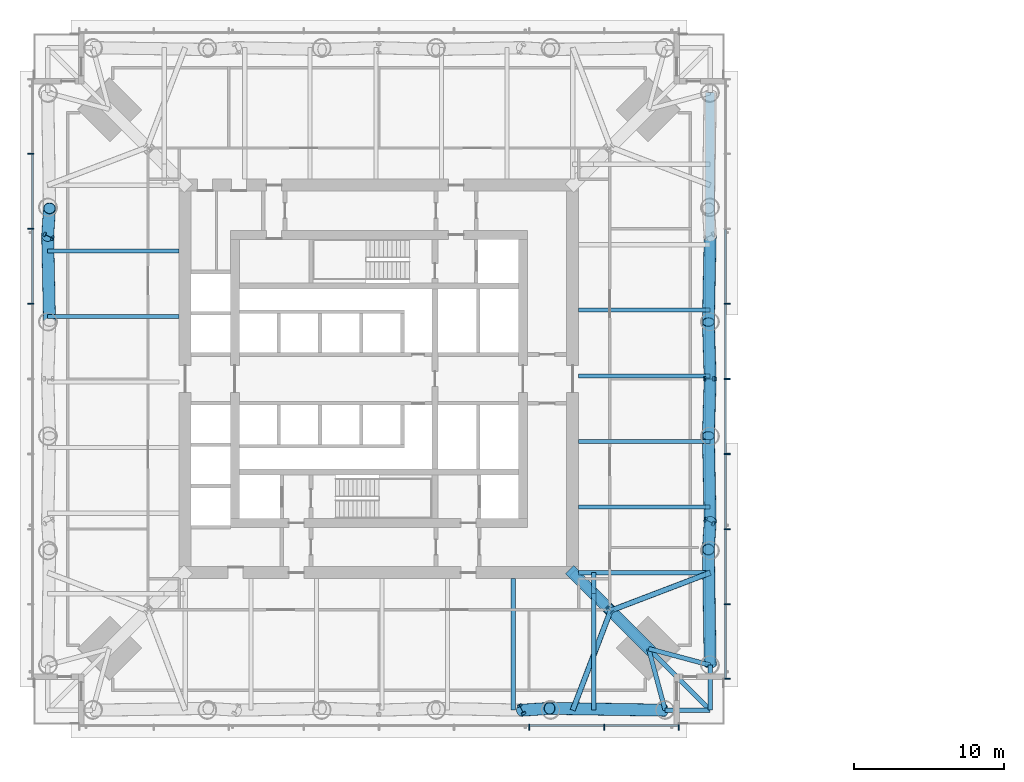
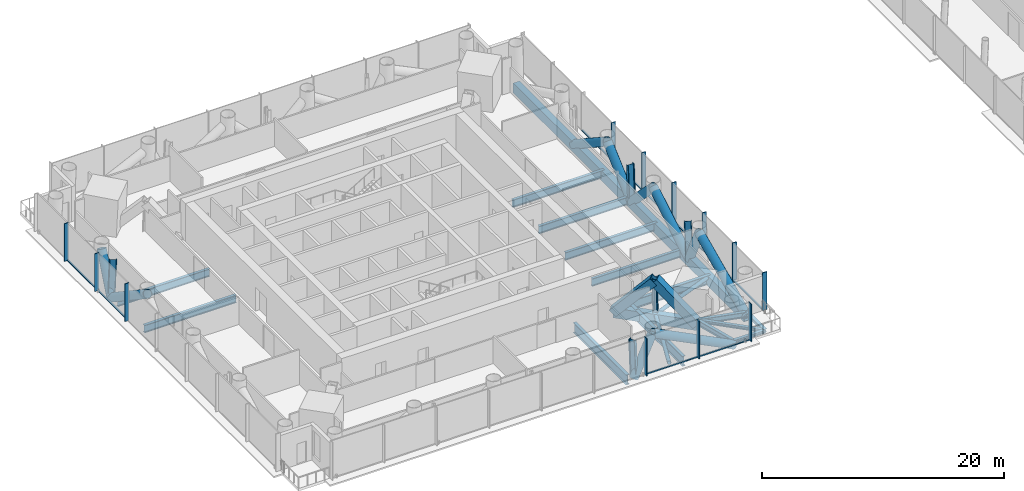
# One storey, part 3 of 28: 43 members, 15 beams, 3 elements without a shape of their own.
"""IFC4 building model written with IfcOpenShell, lengths in metres."""

from ifc_helpers import new_model, si_unit, direction, frame, origin, origin_2d, place, context, subcontext, project, spatial, rectangle, hollow_rectangle, hollow_circle, i_section, extrude, material, material_profile, profile_set, type_object, element, aggregate, save


model = new_model("IFC4")

# Units and contexts
model_context = context("Model", 3, precision=1e-05, world=origin(), true_north=direction((0.0, 1.0)))
body_context = subcontext(model_context, "Body", "Model", "MODEL_VIEW")
ifc_project = project(units=[si_unit("LENGTHUNIT", "METRE"), si_unit("AREAUNIT", "SQUARE_METRE"), si_unit("VOLUMEUNIT", "CUBIC_METRE"), si_unit("PLANEANGLEUNIT", "RADIAN"), si_unit("MASSUNIT", "GRAM", prefix="KILO")], contexts=[model_context])

# Site, building, storey
site_placement = place(None, origin())
site = spatial("IfcSite", under=ifc_project, at=site_placement, CompositionType="ELEMENT")
building_placement = place(site_placement, origin())
building = spatial("IfcBuilding", under=site, at=building_placement, Name="Ostroluk Exchange", CompositionType="ELEMENT")
storey_placement = place(building_placement, frame((0.0, 0.0, 81.800048828125)))
storey = spatial("IfcBuildingStorey", under=building, at=storey_placement, Name="L20", CompositionType="ELEMENT", Elevation=81.800048828125)

# Beams
ifc_material_1 = material(Name="Steel S355", Category="steel")
ifc_material_profile_1 = material_profile(ifc_material_1, i_section(OverallWidth=0.300048828125, OverallDepth=0.300048828125, WebThickness=0.010986328125, FlangeThickness=0.01904296875, FilletRadius=0.027099609375, at=origin_2d()), Name="HEB 300")
ifc_profile_set_1 = profile_set([ifc_material_profile_1], Name="Steel S355")
beam_type_1 = type_object("IfcBeamType", Name="Balcony beam HEB 300", PredefinedType="BEAM", material=ifc_profile_set_1)
for number, where, z_axis, x_axis, name in (
    (1, (64.05712890625, 23.94287109375, -0.429931640625), (1.0, 0.0, 0.0), (0.0, 1.0, 0.0), "T1 south balcony beam a"),
    (2, (67.05712890625, 26.94287109375, -0.429931640625), (0.0, -1.0, 0.0), (1.0, 0.0, 0.0), "T1 south balcony beam b"),
):
    element("IfcBeam", number, at=place(storey_placement, frame(where, z_axis=z_axis, x_axis=x_axis)), inside=storey, type_object=beam_type_1, Name=name, PredefinedType="BEAM", context=body_context, shape_type="SweptSolid", body=[
        extrude(i_section(OverallWidth=0.300048828125, OverallDepth=0.300048828125, WebThickness=0.010986328125, FlangeThickness=0.01904296875, FilletRadius=0.027099609375, at=origin_2d()), origin(), (0.0, 0.0, 1.0), 3.0),
    ])
beam_1_placement = place(storey_placement, frame((62.95703125, 28.04296875, -0.429931640625), z_axis=(0.707106781187, -0.707106781187, 0.0), x_axis=(0.707106781187, 0.707106781187, 0.0)))
element("IfcBeam", 3, at=beam_1_placement, inside=storey, type_object=beam_type_1, Name="T1 south balcony beam c", PredefinedType="BEAM", context=body_context, shape_type="SweptSolid", body=[
    extrude(i_section(OverallWidth=0.300048828125, OverallDepth=0.300048828125, WebThickness=0.010986328125, FlangeThickness=0.01904296875, FilletRadius=0.027099609375, at=origin_2d()), origin(), (0.0, 0.0, 1.0), 5.79833984375),
])

# Members
ifc_material_2 = material(Name="Steel S460", Category="steel")
ifc_material_profile_2 = material_profile(ifc_material_2, hollow_rectangle(XDim=0.60009765625, YDim=1.0, WallThickness=0.06005859375, at=origin_2d()), Name="BOX 600x1000x60")
ifc_profile_set_2 = profile_set([ifc_material_profile_2], Name="Steel S460")
member_type_1 = type_object("IfcMemberType", Name="Belt truss chord BOX 600x1000x60", PredefinedType="CHORD", material=ifc_profile_set_2)
member_1_placement = place(storey_placement, frame((67.05712890625, 26.94287109375, -0.780029296875), z_axis=(0.0, 1.0, 0.0), x_axis=(-1.0, 0.0, 0.0)))
element("IfcMember", 4, at=member_1_placement, inside=storey, type_object=member_type_1, Name="Belt truss 1 east chord 1", PredefinedType="CHORD", context=body_context, shape_type="SweptSolid", body=[
    extrude(hollow_rectangle(XDim=0.60009765625, YDim=1.0, WallThickness=0.06005859375, at=origin_2d()), origin(), (0.0, 0.0, 1.0), 38.1142578125),
])
ifc_material_3 = material(Name="Steel S460", Category="steel")
ifc_material_profile_3 = material_profile(ifc_material_3, hollow_circle(Radius=0.406494140625, WallThickness=0.030029296875, at=origin_2d()), Name="CHS 813x30")
ifc_profile_set_3 = profile_set([ifc_material_profile_3], Name="Steel S460")
member_type_2 = type_object("IfcMemberType", Name="Belt truss diagonal CHS 813x30", PredefinedType="BRACE", material=ifc_profile_set_3)
member_2_placement = place(storey_placement, frame((67.05712890625, 26.94287109375, -0.780029296875), z_axis=(-0.014135797811, 0.896556576647, 0.442703607497), x_axis=(-0.999875727713, -0.015764806696, 0.0)))
element("IfcMember", 5, at=member_2_placement, inside=storey, type_object=member_type_2, Name="Belt truss 1 east diagonal 1.1", PredefinedType="BRACE", context=body_context, shape_type="SweptSolid", body=[
    extrude(hollow_circle(Radius=0.406494140625, WallThickness=0.030029296875, at=origin_2d()), origin(), (0.0, 0.0, 1.0), 8.583740234375),
])
member_3_placement = place(storey_placement, frame((67.05712890625, 36.471435546875, -0.780029296875), z_axis=(-0.028748440767, -0.434234496648, 0.900341007104), x_axis=(0.997815635309, -0.066060259857, 0.0)))
element("IfcMember", 6, at=member_3_placement, inside=storey, type_object=member_type_2, Name="Belt truss 1 east diagonal 1.2", PredefinedType="BRACE", context=body_context, shape_type="SweptSolid", body=[
    extrude(hollow_circle(Radius=0.406494140625, WallThickness=0.030029296875, at=origin_2d()), origin(), (0.0, 0.0, 1.0), 4.220703125),
])
member_4_placement = place(storey_placement, frame((67.05712890625, 36.471435546875, -0.780029296875), z_axis=(-0.017620507461, 0.833765541163, 0.551837421789), x_axis=(-0.999776759238, -0.021128930108, 0.0)))
element("IfcMember", 7, at=member_4_placement, inside=storey, type_object=member_type_2, Name="Belt truss 1 east diagonal 1.3", PredefinedType="BRACE", context=body_context, shape_type="SweptSolid", body=[
    extrude(hollow_circle(Radius=0.406494140625, WallThickness=0.030029296875, at=origin_2d()), origin(), (0.0, 0.0, 1.0), 6.88623046875),
])
for number, where, z_axis, x_axis, name in (
    (8, (67.05712890625, 46.0, -0.780029296875), (-0.022611044268, -0.705719353494, 0.708130591615), (0.999487123287, -0.03202327877, 0.0), "Belt truss 1 east diagonal 1.4"),
    (9, (67.05712890625, 46.0, -0.780029296875), (-0.022611044268, 0.705719353494, 0.708130591615), (-0.999487123287, -0.03202327877, 0.0), "Belt truss 1 east diagonal 1.5"),
):
    element("IfcMember", number, at=place(storey_placement, frame(where, z_axis=z_axis, x_axis=x_axis)), inside=storey, type_object=member_type_2, Name=name, PredefinedType="BRACE", context=body_context, shape_type="SweptSolid", body=[
        extrude(hollow_circle(Radius=0.406494140625, WallThickness=0.030029296875, at=origin_2d()), origin(), (0.0, 0.0, 1.0), 5.3662109375),
    ])
member_5_placement = place(storey_placement, frame((67.05712890625, 55.528564453125, -0.780029296875), z_axis=(-0.017620507461, -0.833765541163, 0.551837421789), x_axis=(0.999776759238, -0.021128930108, 0.0)))
element("IfcMember", 10, at=member_5_placement, inside=storey, type_object=member_type_2, Name="Belt truss 1 east diagonal 1.6", PredefinedType="BRACE", context=body_context, shape_type="SweptSolid", body=[
    extrude(hollow_circle(Radius=0.406494140625, WallThickness=0.030029296875, at=origin_2d()), origin(), (0.0, 0.0, 1.0), 6.88623046875),
])
member_6_placement = place(storey_placement, frame((22.94287109375, 55.528564453125, -0.780029296875), z_axis=(0.028748440767, 0.434234496648, 0.900341007104), x_axis=(-0.997815635309, 0.066060259857, 0.0)))
element("IfcMember", 11, at=member_6_placement, inside=storey, type_object=member_type_2, Name="Belt truss 1 west diagonal 1.2", PredefinedType="BRACE", context=body_context, shape_type="SweptSolid", body=[
    extrude(hollow_circle(Radius=0.406494140625, WallThickness=0.030029296875, at=origin_2d()), origin(), (0.0, 0.0, 1.0), 4.220703125),
])
member_7_placement = place(storey_placement, frame((22.94287109375, 55.528564453125, -0.780029296875), z_axis=(0.017620507461, -0.833765541163, 0.551837421789), x_axis=(0.999776759238, 0.021128930108, 0.0)))
element("IfcMember", 12, at=member_7_placement, inside=storey, type_object=member_type_2, Name="Belt truss 1 west diagonal 1.3", PredefinedType="BRACE", context=body_context, shape_type="SweptSolid", body=[
    extrude(hollow_circle(Radius=0.406494140625, WallThickness=0.030029296875, at=origin_2d()), origin(), (0.0, 0.0, 1.0), 6.88623046875),
])
member_8_placement = place(storey_placement, frame((54.528564453125, 23.94287109375, -0.780029296875), z_axis=(0.434234496648, 0.028748440767, 0.900341007104), x_axis=(-0.066060259857, 0.997815635309, 0.0)))
element("IfcMember", 13, at=member_8_placement, inside=storey, type_object=member_type_2, Name="Belt truss 1 south diagonal 1.7", PredefinedType="BRACE", context=body_context, shape_type="SweptSolid", body=[
    extrude(hollow_circle(Radius=0.406494140625, WallThickness=0.030029296875, at=origin_2d()), origin(), (0.0, 0.0, 1.0), 4.220703125),
])
member_9_placement = place(storey_placement, frame((64.05712890625, 23.94287109375, -0.780029296875), z_axis=(-0.896556576647, 0.014135797811, 0.442703607497), x_axis=(-0.015764806696, -0.999875727713, 0.0)))
element("IfcMember", 14, at=member_9_placement, inside=storey, type_object=member_type_2, Name="Belt truss 1 south diagonal 1.8", PredefinedType="BRACE", context=body_context, shape_type="SweptSolid", body=[
    extrude(hollow_circle(Radius=0.406494140625, WallThickness=0.030029296875, at=origin_2d()), origin(), (0.0, 0.0, 1.0), 8.583740234375),
])
ifc_material_4 = material(Name="Steel S460", Category="steel")
ifc_material_profile_4 = material_profile(ifc_material_4, i_section(OverallWidth=0.304931640625, OverallDepth=0.6201171875, WebThickness=0.02099609375, FlangeThickness=0.0400390625, FilletRadius=0.027099609375, at=origin_2d()), Name="HEM 600")
ifc_profile_set_4 = profile_set([ifc_material_profile_4], Name="Steel S460")
member_type_3 = type_object("IfcMemberType", Name="Belt truss post HEM 600", PredefinedType="POST", material=ifc_profile_set_4)
member_10_placement = place(storey_placement, frame((67.05712890625, 36.471435546875, -0.780029296875), z_axis=(-0.031910269556, 0.015987237665, 0.999362868496), x_axis=(-0.447933021895, -0.894067115991, 0.0)))
element("IfcMember", 15, at=member_10_placement, inside=storey, type_object=member_type_3, Name="Belt truss 1 east post 1.2", PredefinedType="POST", context=body_context, shape_type="SweptSolid", body=[
    extrude(i_section(OverallWidth=0.304931640625, OverallDepth=0.6201171875, WebThickness=0.02099609375, FlangeThickness=0.0400390625, FilletRadius=0.027099609375, at=origin_2d()), origin(), (0.0, 0.0, 1.0), 3.802490234375),
])
member_11_placement = place(storey_placement, frame((67.05712890625, 46.0, -0.780029296875), z_axis=(-0.031914348339, 0.0, 0.999490607445), x_axis=(0.0, -1.0, 0.0)))
element("IfcMember", 16, at=member_11_placement, inside=storey, type_object=member_type_3, Name="Belt truss 1 east post 1.4", PredefinedType="POST", context=body_context, shape_type="SweptSolid", body=[
    extrude(i_section(OverallWidth=0.304931640625, OverallDepth=0.6201171875, WebThickness=0.02099609375, FlangeThickness=0.0400390625, FilletRadius=0.027099609375, at=origin_2d()), origin(), (0.0, 0.0, 1.0), 3.802001953125),
])
for number, where, z_axis, x_axis, name in (
    (17, (22.94287109375, 55.528564453125, -0.780029296875), (0.031910269556, -0.015987237665, 0.999362868496), (0.447933021895, 0.894067115991, 0.0), "Belt truss 1 west post 1.2"),
    (18, (54.528564453125, 23.94287109375, -0.780029296875), (-0.015987237665, 0.031910269556, 0.999362868496), (-0.894067115991, -0.447933021895, 0.0), "Belt truss 1 south post 1.6"),
):
    element("IfcMember", number, at=place(storey_placement, frame(where, z_axis=z_axis, x_axis=x_axis)), inside=storey, type_object=member_type_3, Name=name, PredefinedType="POST", context=body_context, shape_type="SweptSolid", body=[
        extrude(i_section(OverallWidth=0.304931640625, OverallDepth=0.6201171875, WebThickness=0.02099609375, FlangeThickness=0.0400390625, FilletRadius=0.027099609375, at=origin_2d()), origin(), (0.0, 0.0, 1.0), 3.802490234375),
    ])

# Beams
ifc_material_5 = material(Name="Steel S355", Category="steel")
ifc_material_profile_5 = material_profile(ifc_material_5, i_section(OverallWidth=0.300048828125, OverallDepth=0.550048828125, WebThickness=0.014892578125, FlangeThickness=0.029052734375, FilletRadius=0.027099609375, at=origin_2d()), Name="HEB 550")
ifc_profile_set_5 = profile_set([ifc_material_profile_5], Name="Steel S355")
beam_type_2 = type_object("IfcBeamType", Name="Corner edge beam HEB 550", PredefinedType="SPANDREL", material=ifc_profile_set_5)
for number, where, z_axis, x_axis, name in (
    (19, (62.95703125, 28.04296875, -0.554931640625), (0.259144268261, -0.965838624319, 0.0), (0.965838624319, 0.259144268261, 0.0), "T1 south corner edge beam a"),
    (20, (62.95703125, 28.04296875, -0.554931640625), (0.965838624319, -0.259144268261, 0.0), (0.259144268261, 0.965838624319, 0.0), "T1 south corner edge beam b"),
):
    element("IfcBeam", number, at=place(storey_placement, frame(where, z_axis=z_axis, x_axis=x_axis)), inside=storey, type_object=beam_type_2, Name=name, PredefinedType="SPANDREL", context=body_context, shape_type="SweptSolid", body=[
        extrude(i_section(OverallWidth=0.300048828125, OverallDepth=0.550048828125, WebThickness=0.014892578125, FlangeThickness=0.029052734375, FilletRadius=0.027099609375, at=origin_2d()), origin(), (0.0, 0.0, 1.0), 4.2451171875),
    ])
ifc_material_6 = material(Name="Steel S355", Category="steel")
ifc_material_profile_6 = material_profile(ifc_material_6, i_section(OverallWidth=0.302001953125, OverallDepth=1.008056640625, WebThickness=0.02099609375, FlangeThickness=0.0400390625, FilletRadius=0.030029296875, at=origin_2d()), Name="HEM 1000")
ifc_profile_set_6 = profile_set([ifc_material_profile_6], Name="Steel S355")
beam_type_3 = type_object("IfcBeamType", Name="Floor beam HEM 1000", PredefinedType="BEAM", material=ifc_profile_set_6)
beam_2_placement = place(storey_placement, frame((53.9482421875, 32.699951171875, -0.783935546875), z_axis=(0.0, -1.0, 0.0), x_axis=(1.0, 0.0, 0.0)))
element("IfcBeam", 21, at=beam_2_placement, inside=storey, type_object=beam_type_3, Name="T1 south floor beam 5", PredefinedType="BEAM", context=body_context, shape_type="SweptSolid", body=[
    extrude(i_section(OverallWidth=0.302001953125, OverallDepth=1.008056640625, WebThickness=0.02099609375, FlangeThickness=0.0400390625, FilletRadius=0.030029296875, at=origin_2d()), origin(), (0.0, 0.0, 1.0), 8.757080078125),
])
beam_3_placement = place(storey_placement, frame((59.300048828125, 33.10009765625, -0.783935546875), z_axis=(0.0, -1.0, 0.0), x_axis=(1.0, 0.0, 0.0)))
element("IfcBeam", 22, at=beam_3_placement, inside=storey, type_object=beam_type_3, Name="T1 south floor beam 6", PredefinedType="BEAM", context=body_context, shape_type="SweptSolid", body=[
    extrude(i_section(OverallWidth=0.302001953125, OverallDepth=1.008056640625, WebThickness=0.02099609375, FlangeThickness=0.0400390625, FilletRadius=0.030029296875, at=origin_2d()), origin(), (0.0, 0.0, 1.0), 1.400146484375),
])
beam_4_placement = place(storey_placement, frame((59.300048828125, 31.699951171875, -0.783935546875), z_axis=(0.0, -1.0, 0.0), x_axis=(1.0, 0.0, 0.0)))
element("IfcBeam", 23, at=beam_4_placement, inside=storey, type_object=beam_type_3, Name="T1 south floor beam 6", PredefinedType="BEAM", context=body_context, shape_type="SweptSolid", body=[
    extrude(i_section(OverallWidth=0.302001953125, OverallDepth=1.008056640625, WebThickness=0.02099609375, FlangeThickness=0.0400390625, FilletRadius=0.030029296875, at=origin_2d()), origin(), (0.0, 0.0, 1.0), 7.757080078125),
])
ifc_material_7 = material(Name="Steel S355", Category="steel")
ifc_material_profile_7 = material_profile(ifc_material_7, i_section(OverallWidth=0.26806640625, OverallDepth=0.77001953125, WebThickness=0.015625, FlangeThickness=0.025390625, FilletRadius=0.01708984375, at=origin_2d()), Name="IPE 750x196")
ifc_profile_set_7 = profile_set([ifc_material_profile_7], Name="Steel S355")
beam_type_4 = type_object("IfcBeamType", Name="Floor beam IPE 750x196", PredefinedType="BEAM", material=ifc_profile_set_7)
for number, where, z_axis, x_axis, name in (
    (24, (58.300048828125, 37.4697265625, -0.6650390625), (1.0, 0.0, 0.0), (0.0, 1.0, 0.0), "T1 east floor beam 1"),
    (25, (58.300048828125, 41.83935546875, -0.6650390625), (1.0, 0.0, 0.0), (0.0, 1.0, 0.0), "T1 east floor beam 2"),
    (26, (58.300048828125, 46.208984375, -0.6650390625), (1.0, 0.0, 0.0), (0.0, 1.0, 0.0), "T1 east floor beam 3"),
    (27, (58.300048828125, 50.57861328125, -0.6650390625), (1.0, 0.0, 0.0), (0.0, 1.0, 0.0), "T1 east floor beam 4"),
    (28, (31.699951171875, 54.5302734375, -0.6650390625), (-1.0, 0.0, 0.0), (0.0, -1.0, 0.0), "T1 west floor beam 1"),
    (29, (31.699951171875, 50.16064453125, -0.6650390625), (-1.0, 0.0, 0.0), (0.0, -1.0, 0.0), "T1 west floor beam 2"),
):
    element("IfcBeam", number, at=place(storey_placement, frame(where, z_axis=z_axis, x_axis=x_axis)), inside=storey, type_object=beam_type_4, Name=name, PredefinedType="BEAM", context=body_context, shape_type="SweptSolid", body=[
        extrude(i_section(OverallWidth=0.26806640625, OverallDepth=0.77001953125, WebThickness=0.015625, FlangeThickness=0.025390625, FilletRadius=0.01708984375, at=origin_2d()), origin(), (0.0, 0.0, 1.0), 8.757080078125),
    ])
ifc_material_8 = material(Name="Steel S355", Category="steel")
ifc_material_profile_8 = material_profile(ifc_material_8, i_section(OverallWidth=0.300048828125, OverallDepth=0.89990234375, WebThickness=0.0185546875, FlangeThickness=0.034912109375, FilletRadius=0.030029296875, at=origin_2d()), Name="HEB 900")
ifc_profile_set_8 = profile_set([ifc_material_profile_8], Name="Steel S355")
beam_type_5 = type_object("IfcBeamType", Name="Girder HEB 900", PredefinedType="BEAM", material=ifc_profile_set_8)
beam_5_placement = place(storey_placement, frame((58.300048828125, 33.10009765625, -0.72998046875), z_axis=(1.0, 0.0, 0.0), x_axis=(0.0, 1.0, 0.0)))
element("IfcBeam", 30, at=beam_5_placement, inside=storey, type_object=beam_type_5, Name="T1 south girder", PredefinedType="BEAM", context=body_context, shape_type="SweptSolid", body=[
    extrude(i_section(OverallWidth=0.300048828125, OverallDepth=0.89990234375, WebThickness=0.0185546875, FlangeThickness=0.034912109375, FilletRadius=0.030029296875, at=origin_2d()), origin(), (0.0, 0.0, 1.0), 8.757080078125),
])

# Members
ifc_material_9 = material(Name="Steel S460", Category="steel")
ifc_material_profile_9 = material_profile(ifc_material_9, hollow_rectangle(XDim=0.60009765625, YDim=1.0, WallThickness=0.06005859375, at=origin_2d()), Name="BOX 600x1000x60")
ifc_profile_set_9 = profile_set([ifc_material_profile_9], Name="Steel S460")
member_type_4 = type_object("IfcMemberType", Name="Outrigger chord BOX 600x1000x60", PredefinedType="CHORD", material=ifc_profile_set_9)
member_12_placement = place(storey_placement, frame((57.89990234375, 33.10009765625, -0.780029296875), z_axis=(0.707106781187, -0.707106781187, 0.0), x_axis=(0.707106781187, 0.707106781187, 0.0)))
element("IfcMember", 31, at=member_12_placement, inside=storey, type_object=member_type_4, Name="Outrigger 1 SE chord 1", PredefinedType="CHORD", context=body_context, shape_type="SweptSolid", body=[
    extrude(hollow_rectangle(XDim=0.60009765625, YDim=1.0, WallThickness=0.06005859375, at=origin_2d()), origin(), (0.0, 0.0, 1.0), 7.15185546875),
])
ifc_material_10 = material(Name="Steel S460", Category="steel")
ifc_material_profile_10 = material_profile(ifc_material_10, hollow_rectangle(XDim=0.800048828125, YDim=0.800048828125, WallThickness=0.050048828125, at=origin_2d()), Name="BOX 800x800x50")
ifc_profile_set_10 = profile_set([ifc_material_profile_10], Name="Steel S460")
member_type_5 = type_object("IfcMemberType", Name="Outrigger diagonal BOX 800x800x50", PredefinedType="BRACE", material=ifc_profile_set_10)
member_13_placement = place(storey_placement, frame((57.89990234375, 33.10009765625, -0.780029296875), z_axis=(0.478324994518, -0.478324994518, 0.736485165661), x_axis=(0.707106781187, 0.707106781187, 0.0)))
element("IfcMember", 32, at=member_13_placement, inside=storey, type_object=member_type_5, Name="Outrigger 1 SE diagonal 1a", PredefinedType="BRACE", context=body_context, shape_type="SweptSolid", body=[
    extrude(hollow_rectangle(XDim=0.800048828125, YDim=0.800048828125, WallThickness=0.050048828125, at=origin_2d()), origin(), (0.0, 0.0, 1.0), 5.15966796875),
])
member_14_placement = place(storey_placement, frame((60.367919921875, 30.632080078125, 3.02001953125), z_axis=(0.490635155157, -0.490635155157, -0.720107137201), x_axis=(0.707106781187, 0.707106781187, 0.0)))
element("IfcMember", 33, at=member_14_placement, inside=storey, type_object=member_type_5, Name="Outrigger 1 SE diagonal 1b", PredefinedType="BRACE", context=body_context, shape_type="SweptSolid", body=[
    extrude(hollow_rectangle(XDim=0.800048828125, YDim=0.800048828125, WallThickness=0.050048828125, at=origin_2d()), origin(), (0.0, 0.0, 1.0), 5.277099609375),
])
ifc_material_11 = material(Name="Steel S460", Category="steel")
ifc_material_profile_11 = material_profile(ifc_material_11, i_section(OverallWidth=0.306884765625, OverallDepth=0.431884765625, WebThickness=0.02099609375, FlangeThickness=0.0400390625, FilletRadius=0.027099609375, at=origin_2d()), Name="HEM 400")
ifc_profile_set_11 = profile_set([ifc_material_profile_11], Name="Steel S460")
member_type_6 = type_object("IfcMemberType", Name="Outrigger post HEM 400", PredefinedType="POST", material=ifc_profile_set_11)
member_15_placement = place(storey_placement, frame((60.428466796875, 30.571533203125, -0.780029296875), z_axis=(-0.015929140065, 0.015929140065, 0.999746230297), x_axis=(-0.707106781187, -0.707106781187, 0.0)))
element("IfcMember", 34, at=member_15_placement, inside=storey, type_object=member_type_6, Name="Outrigger 1 SE post 1", PredefinedType="POST", context=body_context, shape_type="SweptSolid", body=[
    extrude(i_section(OverallWidth=0.306884765625, OverallDepth=0.431884765625, WebThickness=0.02099609375, FlangeThickness=0.0400390625, FilletRadius=0.027099609375, at=origin_2d()), origin(), (0.0, 0.0, 1.0), 3.801025390625),
])
ifc_material_12 = material(Name="Steel S460", Category="steel")
ifc_material_profile_12 = material_profile(ifc_material_12, hollow_circle(Radius=0.177734375, WallThickness=0.012451171875, at=origin_2d()), Name="CHS 355.6x12.5")
ifc_profile_set_12 = profile_set([ifc_material_profile_12], Name="Steel S460")
member_type_7 = type_object("IfcMemberType", Name="Plan bracing CHS 355.6x12.5", PredefinedType="BRACE", material=ifc_profile_set_12)
for number, where, z_axis, x_axis, name in (
    (35, (60.428466796875, 30.571533203125, -0.457763671875), (-0.356408854389, -0.934330096119, 0.0), (0.934330096119, -0.356408854389, 0.0), "Plan bracing L20 SE a"),
    (36, (60.428466796875, 30.571533203125, -0.457763671875), (0.934330096119, 0.356408854389, 0.0), (-0.356408854389, 0.934330096119, 0.0), "Plan bracing L20 SE b"),
):
    element("IfcMember", number, at=place(storey_placement, frame(where, z_axis=z_axis, x_axis=x_axis)), inside=storey, type_object=member_type_7, Name=name, PredefinedType="BRACE", context=body_context, shape_type="SweptSolid", body=[
        extrude(hollow_circle(Radius=0.177734375, WallThickness=0.012451171875, at=origin_2d()), origin(), (0.0, 0.0, 1.0), 7.094482421875),
    ])

# Curtain wall, members
ifc_material_13 = material(Name="Laminated clear glass", Category="glass")
curtain_wall_type = type_object("IfcCurtainWallType", Name="Office tower plant and sky lobby facade", PredefinedType="USERDEFINED", material=ifc_material_13)
curtain_wall_1_placement = place(storey_placement, origin())
curtain_wall_1 = element("IfcCurtainWall", 37, at=curtain_wall_1_placement, inside=storey, type_object=curtain_wall_type, Name="Office tower south facade L20", ObjectType="LOUVRED CURTAIN WALL", PredefinedType="USERDEFINED")
ifc_material_14 = material(Name="Aluminium mullion", Category="aluminium")
ifc_material_profile_13 = material_profile(ifc_material_14, rectangle(XDim=0.14990234375, YDim=0.080078125, at=origin_2d()), Name="Sill transom 80 x 150")
ifc_profile_set_13 = profile_set([ifc_material_profile_13], Name="Aluminium mullion")
member_type_8 = type_object("IfcMemberType", Name="Sill transom 80 x 150", PredefinedType="USERDEFINED", material=ifc_profile_set_13)
member_16_placement = place(storey_placement, frame((55.0400390625, 22.925048828125, 0.0400390625), z_axis=(1.0, 0.0, 0.0), x_axis=(0.0, 1.0, 0.0)))
member_16 = element("IfcMember", 38, at=member_16_placement, type_object=member_type_8, Name="CW-P1 transom 7.1", ObjectType="TRANSOM", PredefinedType="USERDEFINED", context=body_context, shape_type="SweptSolid", body=[
    extrude(rectangle(XDim=0.14990234375, YDim=0.080078125, at=origin_2d()), origin(), (0.0, 0.0, 1.0), 4.919921875),
])
member_17_placement = place(storey_placement, frame((60.0400390625, 22.925048828125, 0.0400390625), z_axis=(1.0, 0.0, 0.0), x_axis=(0.0, 1.0, 0.0)))
member_17 = element("IfcMember", 39, at=member_17_placement, type_object=member_type_8, Name="CW-P1 transom 8.1", ObjectType="TRANSOM", PredefinedType="USERDEFINED", context=body_context, shape_type="SweptSolid", body=[
    extrude(rectangle(XDim=0.14990234375, YDim=0.080078125, at=origin_2d()), origin(), (0.0, 0.0, 1.0), 4.8798828125),
])

curtain_wall_2_placement = place(storey_placement, origin())
curtain_wall_2 = element("IfcCurtainWall", 40, at=curtain_wall_2_placement, inside=storey, type_object=curtain_wall_type, Name="Office tower east facade L20", ObjectType="LOUVRED CURTAIN WALL", PredefinedType="USERDEFINED")
member_18_placement = place(storey_placement, frame((68.074951171875, 26.080078125, 0.0400390625), z_axis=(0.0, 1.0, 0.0), x_axis=(-1.0, 0.0, 0.0)))
member_18 = element("IfcMember", 41, at=member_18_placement, type_object=member_type_8, Name="CW-P1 transom 1.1", ObjectType="TRANSOM", PredefinedType="USERDEFINED", context=body_context, shape_type="SweptSolid", body=[
    extrude(rectangle(XDim=0.14990234375, YDim=0.080078125, at=origin_2d()), origin(), (0.0, 0.0, 1.0), 4.8798828125),
])
member_19_placement = place(storey_placement, frame((68.074951171875, 31.0400390625, 0.0400390625), z_axis=(0.0, 1.0, 0.0), x_axis=(-1.0, 0.0, 0.0)))
member_19 = element("IfcMember", 42, at=member_19_placement, type_object=member_type_8, Name="CW-P1 transom 2.1", ObjectType="TRANSOM", PredefinedType="USERDEFINED", context=body_context, shape_type="SweptSolid", body=[
    extrude(rectangle(XDim=0.14990234375, YDim=0.080078125, at=origin_2d()), origin(), (0.0, 0.0, 1.0), 4.919921875),
])
member_20_placement = place(storey_placement, frame((68.074951171875, 36.0400390625, 0.0400390625), z_axis=(0.0, 1.0, 0.0), x_axis=(-1.0, 0.0, 0.0)))
member_20 = element("IfcMember", 43, at=member_20_placement, type_object=member_type_8, Name="CW-P1 transom 3.1", ObjectType="TRANSOM", PredefinedType="USERDEFINED", context=body_context, shape_type="SweptSolid", body=[
    extrude(rectangle(XDim=0.14990234375, YDim=0.080078125, at=origin_2d()), origin(), (0.0, 0.0, 1.0), 4.919921875),
])
member_21_placement = place(storey_placement, frame((68.074951171875, 41.0400390625, 0.0400390625), z_axis=(0.0, 1.0, 0.0), x_axis=(-1.0, 0.0, 0.0)))
member_21 = element("IfcMember", 44, at=member_21_placement, type_object=member_type_8, Name="CW-P1 transom 4.1", ObjectType="TRANSOM", PredefinedType="USERDEFINED", context=body_context, shape_type="SweptSolid", body=[
    extrude(rectangle(XDim=0.14990234375, YDim=0.080078125, at=origin_2d()), origin(), (0.0, 0.0, 1.0), 4.919921875),
])
member_22_placement = place(storey_placement, frame((68.074951171875, 46.0400390625, 0.0400390625), z_axis=(0.0, 1.0, 0.0), x_axis=(-1.0, 0.0, 0.0)))
member_22 = element("IfcMember", 45, at=member_22_placement, type_object=member_type_8, Name="CW-P1 transom 5.1", ObjectType="TRANSOM", PredefinedType="USERDEFINED", context=body_context, shape_type="SweptSolid", body=[
    extrude(rectangle(XDim=0.14990234375, YDim=0.080078125, at=origin_2d()), origin(), (0.0, 0.0, 1.0), 4.919921875),
])
member_23_placement = place(storey_placement, frame((68.074951171875, 51.0400390625, 0.0400390625), z_axis=(0.0, 1.0, 0.0), x_axis=(-1.0, 0.0, 0.0)))
member_23 = element("IfcMember", 46, at=member_23_placement, type_object=member_type_8, Name="CW-P1 transom 6.1", ObjectType="TRANSOM", PredefinedType="USERDEFINED", context=body_context, shape_type="SweptSolid", body=[
    extrude(rectangle(XDim=0.14990234375, YDim=0.080078125, at=origin_2d()), origin(), (0.0, 0.0, 1.0), 4.919921875),
])

curtain_wall_3_placement = place(storey_placement, origin())
curtain_wall_3 = element("IfcCurtainWall", 47, at=curtain_wall_3_placement, inside=storey, type_object=curtain_wall_type, Name="Office tower west facade L20", ObjectType="LOUVRED CURTAIN WALL", PredefinedType="USERDEFINED")
member_24_placement = place(storey_placement, frame((21.925048828125, 60.9599609375, 0.0400390625), z_axis=(0.0, -1.0, 0.0), x_axis=(1.0, 0.0, 0.0)))
member_24 = element("IfcMember", 48, at=member_24_placement, type_object=member_type_8, Name="CW-P1 transom 2.1", ObjectType="TRANSOM", PredefinedType="USERDEFINED", context=body_context, shape_type="SweptSolid", body=[
    extrude(rectangle(XDim=0.14990234375, YDim=0.080078125, at=origin_2d()), origin(), (0.0, 0.0, 1.0), 4.919921875),
])
member_25_placement = place(storey_placement, frame((21.925048828125, 55.9599609375, 0.0400390625), z_axis=(0.0, -1.0, 0.0), x_axis=(1.0, 0.0, 0.0)))
member_25 = element("IfcMember", 49, at=member_25_placement, type_object=member_type_8, Name="CW-P1 transom 3.1", ObjectType="TRANSOM", PredefinedType="USERDEFINED", context=body_context, shape_type="SweptSolid", body=[
    extrude(rectangle(XDim=0.14990234375, YDim=0.080078125, at=origin_2d()), origin(), (0.0, 0.0, 1.0), 4.919921875),
])

# Member
ifc_material_15 = material(Name="Aluminium mullion with limestone facing", Category="masonry")
ifc_material_profile_14 = material_profile(ifc_material_15, rectangle(XDim=0.39990234375, YDim=0.080078125, at=origin_2d()), Name="Tracery mullion 80 x 400")
ifc_profile_set_14 = profile_set([ifc_material_profile_14], Name="Aluminium mullion with limestone facing")
member_type_9 = type_object("IfcMemberType", Name="Tracery mullion 80 x 400", PredefinedType="MULLION", material=ifc_profile_set_14)
member_26_placement = place(storey_placement, frame((55.0, 22.800048828125, 0.0), z_axis=(0.0, 0.0, 1.0), x_axis=(0.0, 1.0, 0.0)))
member_26 = element("IfcMember", 50, at=member_26_placement, type_object=member_type_9, Name="CW-P1 mullion 7", PredefinedType="MULLION", context=body_context, shape_type="SweptSolid", body=[
    extrude(rectangle(XDim=0.39990234375, YDim=0.080078125, at=origin_2d()), origin(), (0.0, 0.0, 1.0), 3.800048828125),
])

member_27_placement = place(storey_placement, frame((60.0, 22.800048828125, 0.0), z_axis=(0.0, 0.0, 1.0), x_axis=(0.0, 1.0, 0.0)))
member_27 = element("IfcMember", 51, at=member_27_placement, type_object=member_type_9, Name="CW-P1 mullion 8", PredefinedType="MULLION", context=body_context, shape_type="SweptSolid", body=[
    extrude(rectangle(XDim=0.39990234375, YDim=0.080078125, at=origin_2d()), origin(), (0.0, 0.0, 1.0), 3.800048828125),
])

member_28_placement = place(storey_placement, frame((64.9599609375, 22.800048828125, 0.0), z_axis=(0.0, 0.0, 1.0), x_axis=(0.0, 1.0, 0.0)))
member_28 = element("IfcMember", 52, at=member_28_placement, type_object=member_type_9, Name="CW-P1 mullion 9", PredefinedType="MULLION", context=body_context, shape_type="SweptSolid", body=[
    extrude(rectangle(XDim=0.39990234375, YDim=0.080078125, at=origin_2d()), origin(), (0.0, 0.0, 1.0), 3.800048828125),
])

aggregate(curtain_wall_1, [member_26, member_27, member_28, member_16, member_17])

member_29_placement = place(storey_placement, frame((68.199951171875, 26.0400390625, 0.0), z_axis=(0.0, 0.0, 1.0), x_axis=(-1.0, 0.0, 0.0)))
member_29 = element("IfcMember", 53, at=member_29_placement, type_object=member_type_9, Name="CW-P1 mullion 1", PredefinedType="MULLION", context=body_context, shape_type="SweptSolid", body=[
    extrude(rectangle(XDim=0.39990234375, YDim=0.080078125, at=origin_2d()), origin(), (0.0, 0.0, 1.0), 3.800048828125),
])

member_30_placement = place(storey_placement, frame((68.199951171875, 31.0, 0.0), z_axis=(0.0, 0.0, 1.0), x_axis=(-1.0, 0.0, 0.0)))
member_30 = element("IfcMember", 54, at=member_30_placement, type_object=member_type_9, Name="CW-P1 mullion 2", PredefinedType="MULLION", context=body_context, shape_type="SweptSolid", body=[
    extrude(rectangle(XDim=0.39990234375, YDim=0.080078125, at=origin_2d()), origin(), (0.0, 0.0, 1.0), 3.800048828125),
])

member_31_placement = place(storey_placement, frame((68.199951171875, 36.0, 0.0), z_axis=(0.0, 0.0, 1.0), x_axis=(-1.0, 0.0, 0.0)))
member_31 = element("IfcMember", 55, at=member_31_placement, type_object=member_type_9, Name="CW-P1 mullion 3", PredefinedType="MULLION", context=body_context, shape_type="SweptSolid", body=[
    extrude(rectangle(XDim=0.39990234375, YDim=0.080078125, at=origin_2d()), origin(), (0.0, 0.0, 1.0), 3.800048828125),
])

member_32_placement = place(storey_placement, frame((68.199951171875, 41.0, 0.0), z_axis=(0.0, 0.0, 1.0), x_axis=(-1.0, 0.0, 0.0)))
member_32 = element("IfcMember", 56, at=member_32_placement, type_object=member_type_9, Name="CW-P1 mullion 4", PredefinedType="MULLION", context=body_context, shape_type="SweptSolid", body=[
    extrude(rectangle(XDim=0.39990234375, YDim=0.080078125, at=origin_2d()), origin(), (0.0, 0.0, 1.0), 3.800048828125),
])

member_33_placement = place(storey_placement, frame((68.199951171875, 46.0, 0.0), z_axis=(0.0, 0.0, 1.0), x_axis=(-1.0, 0.0, 0.0)))
member_33 = element("IfcMember", 57, at=member_33_placement, type_object=member_type_9, Name="CW-P1 mullion 5", PredefinedType="MULLION", context=body_context, shape_type="SweptSolid", body=[
    extrude(rectangle(XDim=0.39990234375, YDim=0.080078125, at=origin_2d()), origin(), (0.0, 0.0, 1.0), 3.800048828125),
])

member_34_placement = place(storey_placement, frame((68.199951171875, 51.0, 0.0), z_axis=(0.0, 0.0, 1.0), x_axis=(-1.0, 0.0, 0.0)))
member_34 = element("IfcMember", 58, at=member_34_placement, type_object=member_type_9, Name="CW-P1 mullion 6", PredefinedType="MULLION", context=body_context, shape_type="SweptSolid", body=[
    extrude(rectangle(XDim=0.39990234375, YDim=0.080078125, at=origin_2d()), origin(), (0.0, 0.0, 1.0), 3.800048828125),
])

aggregate(curtain_wall_2, [member_29, member_30, member_31, member_32, member_33, member_34, member_18, member_19, member_20, member_21, member_22, member_23])

member_35_placement = place(storey_placement, frame((21.800048828125, 61.0, 0.0), z_axis=(0.0, 0.0, 1.0), x_axis=(1.0, 0.0, 0.0)))
member_35 = element("IfcMember", 59, at=member_35_placement, type_object=member_type_9, Name="CW-P1 mullion 2", PredefinedType="MULLION", context=body_context, shape_type="SweptSolid", body=[
    extrude(rectangle(XDim=0.39990234375, YDim=0.080078125, at=origin_2d()), origin(), (0.0, 0.0, 1.0), 3.800048828125),
])

member_36_placement = place(storey_placement, frame((21.800048828125, 56.0, 0.0), z_axis=(0.0, 0.0, 1.0), x_axis=(1.0, 0.0, 0.0)))
member_36 = element("IfcMember", 60, at=member_36_placement, type_object=member_type_9, Name="CW-P1 mullion 3", PredefinedType="MULLION", context=body_context, shape_type="SweptSolid", body=[
    extrude(rectangle(XDim=0.39990234375, YDim=0.080078125, at=origin_2d()), origin(), (0.0, 0.0, 1.0), 3.800048828125),
])

member_37_placement = place(storey_placement, frame((21.800048828125, 51.0, 0.0), z_axis=(0.0, 0.0, 1.0), x_axis=(1.0, 0.0, 0.0)))
member_37 = element("IfcMember", 61, at=member_37_placement, type_object=member_type_9, Name="CW-P1 mullion 4", PredefinedType="MULLION", context=body_context, shape_type="SweptSolid", body=[
    extrude(rectangle(XDim=0.39990234375, YDim=0.080078125, at=origin_2d()), origin(), (0.0, 0.0, 1.0), 3.800048828125),
])

aggregate(curtain_wall_3, [member_35, member_36, member_37, member_24, member_25])

save(model, "model.ifc")
